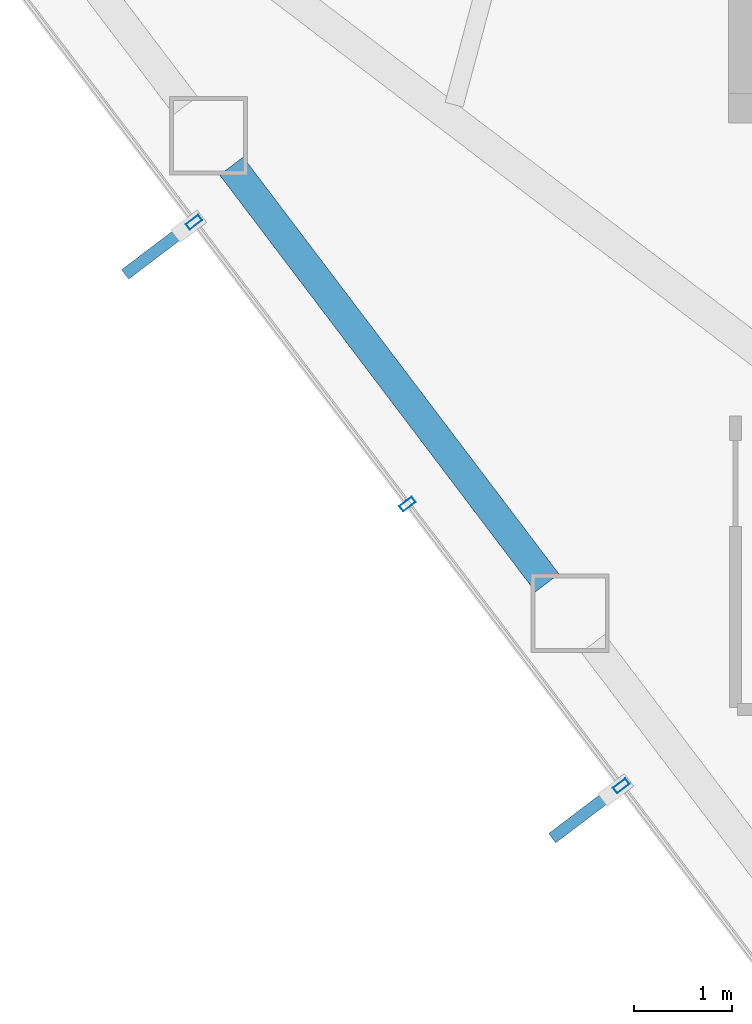
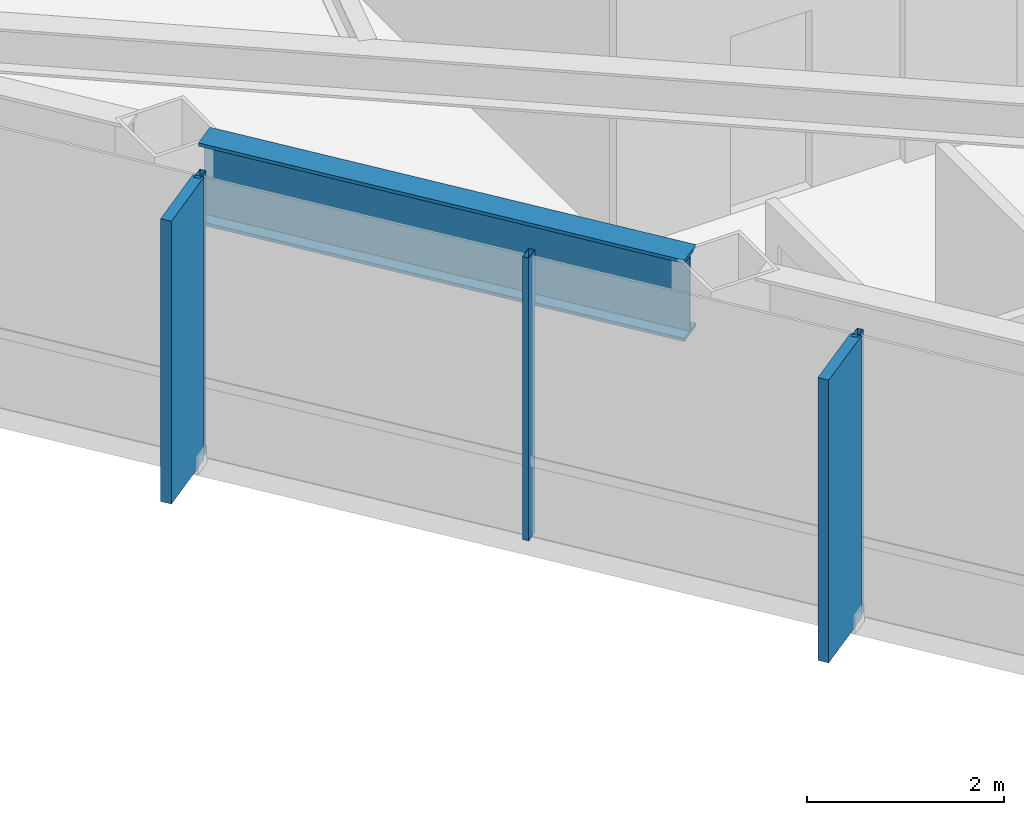
# One storey, part 4 of 28: 5 members, 1 beam, 1 element without a shape of its own.
"""IFC4 building model written with IfcOpenShell, lengths in metres."""

from ifc_helpers import new_model, si_unit, direction, frame, origin, origin_2d, place, context, subcontext, project, spatial, rectangle, hollow_rectangle, i_section, extrude, material, layer, layer_set, material_profile, profile_set, type_object, element, aggregate, save


model = new_model("IFC4")

# Units and contexts
model_context = context("Model", 3, precision=1e-05, world=origin(), true_north=direction((0.0, 1.0)))
body_context = subcontext(model_context, "Body", "Model", "MODEL_VIEW")
ifc_project = project(units=[si_unit("LENGTHUNIT", "METRE"), si_unit("AREAUNIT", "SQUARE_METRE"), si_unit("VOLUMEUNIT", "CUBIC_METRE"), si_unit("PLANEANGLEUNIT", "RADIAN"), si_unit("MASSUNIT", "GRAM", prefix="KILO")], contexts=[model_context])

# Site, building, storey
site_placement = place(None, origin())
site = spatial("IfcSite", under=ifc_project, at=site_placement, CompositionType="ELEMENT")
building_placement = place(site_placement, origin())
building = spatial("IfcBuilding", under=site, at=building_placement, Name="Zarrinselat Tower", CompositionType="ELEMENT")
storey_placement = place(building_placement, frame((0.0, 0.0, 157.080078125)))
storey = spatial("IfcBuildingStorey", under=building, at=storey_placement, Name="L38", CompositionType="ELEMENT", Elevation=157.080078125)

# Beam
ifc_material_1 = material(Name="Steel S460M", Category="steel")
ifc_material_profile_1 = material_profile(ifc_material_1, i_section(OverallWidth=0.302001953125, OverallDepth=1.008056640625, WebThickness=0.02099609375, FlangeThickness=0.0400390625, at=origin_2d()), Name="HEM 1000")
ifc_profile_set_1 = profile_set([ifc_material_profile_1], Name="Steel S460M")
beam_type = type_object("IfcBeamType", Name="BM-HEM1000", PredefinedType="BEAM", material=ifc_profile_set_1)
beam_placement = place(storey_placement, frame((19.9951171875, 32.70751953125, 2.995849609375), z_axis=(0.603871751824, -0.797081493543, 0.0), x_axis=(0.797081493543, 0.603871751824, 0.0)))
element("IfcBeam", 1, at=beam_placement, inside=storey, type_object=beam_type, Name="L38 Perimeter Spandrel Girder SP07", PredefinedType="BEAM", context=body_context, shape_type="SweptSolid", body=[
    extrude(i_section(OverallWidth=0.302001953125, OverallDepth=1.008056640625, WebThickness=0.02099609375, FlangeThickness=0.0400390625, at=origin_2d()), origin(), (0.0, 0.0, 1.0), 5.34765625),
])

# Curtain wall, members
ifc_material_2 = material(Name="Extruded Aluminium Alloy EN AW-6063 T6", Category="aluminium")
ifc_layer = layer(ifc_material_2, 0.175048828125)
ifc_layer_set = layer_set([ifc_layer], Name="Extruded Aluminium Alloy EN AW-6063 T6")
curtain_wall_type = type_object("IfcCurtainWallType", Name="CWS-HTL", PredefinedType="NOTDEFINED", material=ifc_layer_set)
curtain_wall_placement = place(storey_placement, origin())
curtain_wall = element("IfcCurtainWall", 2, at=curtain_wall_placement, inside=storey, type_object=curtain_wall_type, Name="L38 Unitised Curtain Wall CW-L38-E01", PredefinedType="NOTDEFINED")
ifc_material_3 = material(Name="Extruded Aluminium Alloy EN AW-6063 T6", Category="aluminium")
ifc_material_profile_2 = material_profile(ifc_material_3, hollow_rectangle(XDim=0.070068359375, YDim=0.159912109375, WallThickness=0.00390625, at=origin_2d()), Name="RHS 160x70x4")
ifc_profile_set_2 = profile_set([ifc_material_profile_2], Name="Extruded Aluminium Alloy EN AW-6063 T6")
member_type_1 = type_object("IfcMemberType", Name="MEM-CW-MUL2", PredefinedType="MULLION", material=ifc_profile_set_2)
member_1_placement = place(storey_placement, frame((23.981201171875, 26.36962890625, 0.0), z_axis=(0.0, 0.0, 1.0), x_axis=(-0.603857992276, 0.797091917639, 0.0)))
member_1 = element("IfcMember", 3, at=member_1_placement, type_object=member_type_1, Name="CW-L38-E01 Mullion 3", PredefinedType="MULLION", context=body_context, shape_type="SweptSolid", body=[
    extrude(hollow_rectangle(XDim=0.070068359375, YDim=0.159912109375, WallThickness=0.00390625, at=origin_2d()), origin(), (0.0, 0.0, 1.0), 3.5),
])
member_2_placement = place(storey_placement, frame((21.797607421875, 29.251708984375, 0.0), z_axis=(0.0, 0.0, 1.0), x_axis=(-0.603857992276, 0.797091917639, 0.0)))
member_2 = element("IfcMember", 4, at=member_2_placement, type_object=member_type_1, Name="CW-L38-E01 Mullion 4", PredefinedType="MULLION", context=body_context, shape_type="SweptSolid", body=[
    extrude(hollow_rectangle(XDim=0.070068359375, YDim=0.159912109375, WallThickness=0.00390625, at=origin_2d()), origin(), (0.0, 0.0, 1.0), 3.5),
])
member_3_placement = place(storey_placement, frame((19.6142578125, 32.1337890625, 0.0), z_axis=(0.0, 0.0, 1.0), x_axis=(-0.603857992276, 0.797091917639, 0.0)))
member_3 = element("IfcMember", 5, at=member_3_placement, type_object=member_type_1, Name="CW-L38-E01 Mullion 5", PredefinedType="MULLION", context=body_context, shape_type="SweptSolid", body=[
    extrude(hollow_rectangle(XDim=0.070068359375, YDim=0.159912109375, WallThickness=0.00390625, at=origin_2d()), origin(), (0.0, 0.0, 1.0), 3.5),
])
ifc_material_4 = material(Name="Honed Cream Travertine Stone", Category="masonry")
ifc_material_profile_3 = material_profile(ifc_material_4, rectangle(XDim=0.1201171875, YDim=0.85009765625, at=origin_2d()), Name="FIN 850x120")
ifc_profile_set_3 = profile_set([ifc_material_profile_3], Name="Honed Cream Travertine Stone")
member_type_2 = type_object("IfcMemberType", Name="MEM-STONE-FIN", PredefinedType="USERDEFINED", material=ifc_profile_set_3)
member_4_placement = place(storey_placement, frame((23.614501953125, 26.091796875, 0.0), z_axis=(0.0, 0.0, 1.0), x_axis=(-0.603857992276, 0.797091917639, 0.0)))
member_4 = element("IfcMember", 6, at=member_4_placement, type_object=member_type_2, Name="L38 Stone Shading Fin CW-L38-E01-03", ObjectType="FIN", PredefinedType="USERDEFINED", context=body_context, shape_type="SweptSolid", body=[
    extrude(rectangle(XDim=0.1201171875, YDim=0.85009765625, at=origin_2d()), origin(), (0.0, 0.0, 1.0), 3.5),
])
member_5_placement = place(storey_placement, frame((19.24755859375, 31.85595703125, 0.0), z_axis=(0.0, 0.0, 1.0), x_axis=(-0.603857992276, 0.797091917639, 0.0)))
member_5 = element("IfcMember", 7, at=member_5_placement, type_object=member_type_2, Name="L38 Stone Shading Fin CW-L38-E01-05", ObjectType="FIN", PredefinedType="USERDEFINED", context=body_context, shape_type="SweptSolid", body=[
    extrude(rectangle(XDim=0.1201171875, YDim=0.85009765625, at=origin_2d()), origin(), (0.0, 0.0, 1.0), 3.5),
])
aggregate(curtain_wall, [member_1, member_4, member_2, member_3, member_5])

save(model, "model.ifc")
